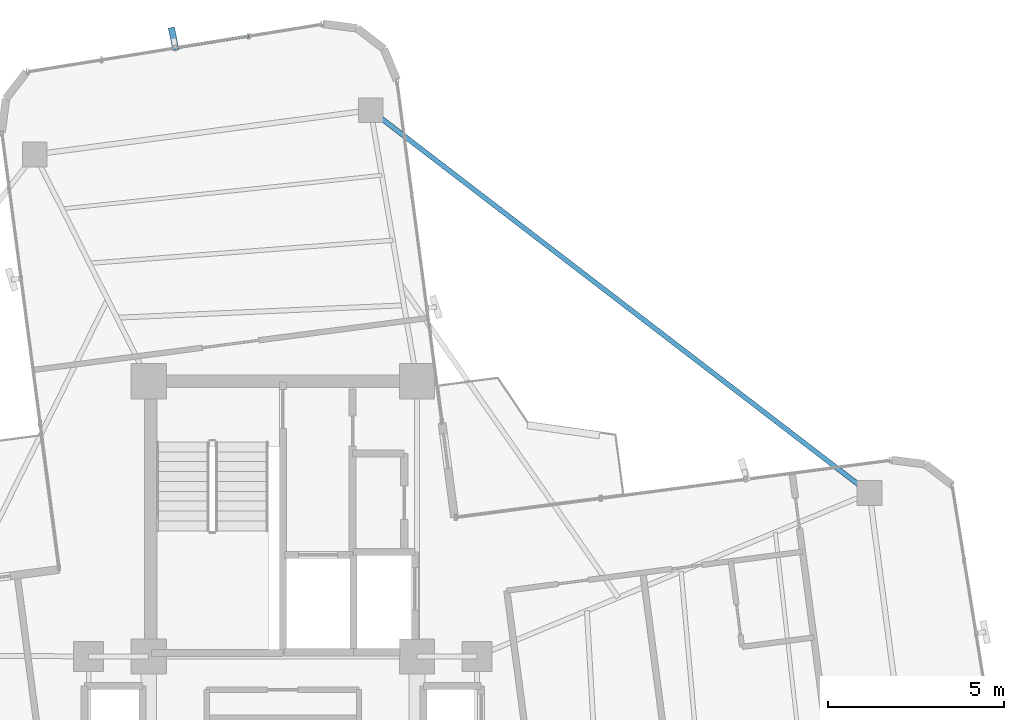
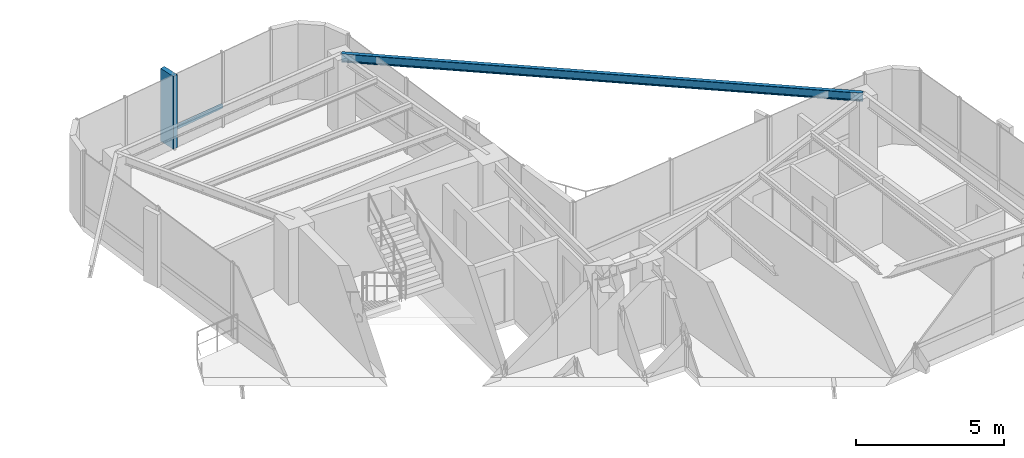
# One storey, part 14 of 21: 2 members, 1 beam, 1 element without a shape of its own.
"""IFC4 building model written with IfcOpenShell, lengths in metres."""

from ifc_helpers import new_model, si_unit, direction, frame, origin, origin_2d, place, context, subcontext, project, spatial, rectangle, hollow_rectangle, i_section, extrude, source, transform, mapped, material, material_profile, profile_set, type_object, element, aggregate, save


model = new_model("IFC4")

# Units and contexts
model_context = context("Model", 3, precision=1e-05, world=origin(), true_north=direction((0.0, 1.0)))
body_context = subcontext(model_context, "Body", "Model", "MODEL_VIEW")
ifc_project = project(units=[si_unit("LENGTHUNIT", "METRE"), si_unit("AREAUNIT", "SQUARE_METRE"), si_unit("VOLUMEUNIT", "CUBIC_METRE"), si_unit("PLANEANGLEUNIT", "RADIAN"), si_unit("MASSUNIT", "GRAM", prefix="KILO")], contexts=[model_context])

# Site, building, storey
site_placement = place(None, origin())
site = spatial("IfcSite", under=ifc_project, at=site_placement, CompositionType="ELEMENT")
building_placement = place(site_placement, origin())
building = spatial("IfcBuilding", under=site, at=building_placement, Name="Sahyath Konkavel Grand Hotel", CompositionType="ELEMENT")
storey_placement = place(building_placement, frame((0.0, 0.0, 216.550048828125)))
storey = spatial("IfcBuildingStorey", under=building, at=storey_placement, Name="L60", CompositionType="ELEMENT", Elevation=216.550048828125)

# Beam
ifc_material_1 = material(Name="Steel E350", Category="steel")
ifc_material_profile_1 = material_profile(ifc_material_1, i_section(OverallWidth=0.139892578125, OverallDepth=0.35009765625, WebThickness=0.008056640625, FlangeThickness=0.01416015625, FilletRadius=0.013916015625, at=origin_2d()), Name="ISMB 350")
ifc_profile_set_1 = profile_set([ifc_material_profile_1], Name="Steel E350")
beam_type = type_object("IfcBeamType", Name="BM-ISMB350", PredefinedType="BEAM", material=ifc_profile_set_1)
shared_shape_1 = source(origin(), body_context, "Body", "SweptSolid", [
    extrude(i_section(OverallWidth=0.139892578125, OverallDepth=0.35009765625, WebThickness=0.008056640625, FlangeThickness=0.01416015625, FilletRadius=0.013916015625, at=origin_2d()), origin(), (0.0, 0.0, 1.0), 17.819091796875),
])
beam_placement = place(storey_placement, frame((16.62451171875, 7.030029296875, 2.93505859375), z_axis=(-0.793348720932, 0.608767449027, 0.0), x_axis=(-0.608767449027, -0.793348720932, 0.0)))
element("IfcBeam", 1, at=beam_placement, inside=storey, type_object=beam_type, Name="L60 Re-Entrant Tie Beam NE", PredefinedType="BEAM", context=body_context, shape_type="MappedRepresentation", body=[
    mapped(shared_shape_1, transform((0.0, 0.0, 0.0), scale=1.0)),
])

# Curtain wall, members
ifc_material_2 = material(Name="Anodised Bronze Aluminium & Low-E Glazing", Category="aluminium")
curtain_wall_type = type_object("IfcCurtainWallType", Name="CW-ZONE4", PredefinedType="NOTDEFINED", material=ifc_material_2)
curtain_wall_placement = place(storey_placement, origin())
curtain_wall = element("IfcCurtainWall", 2, at=curtain_wall_placement, inside=storey, type_object=curtain_wall_type, Name="L60 Unitised Curtain Wall F12", PredefinedType="NOTDEFINED")
ifc_material_3 = material(Name="Warm Buff Sandstone Cladding on Concrete C50/60", Category="masonry")
ifc_material_profile_2 = material_profile(ifc_material_3, rectangle(XDim=0.179931640625, YDim=0.64990234375, at=origin_2d()), Name="FIN 180x650")
ifc_profile_set_2 = profile_set([ifc_material_profile_2], Name="Warm Buff Sandstone Cladding on Concrete C50/60")
member_type_1 = type_object("IfcMemberType", Name="FIN-SANDSTONE-650", PredefinedType="MULLION", material=ifc_profile_set_2)
shared_shape_2 = source(origin(), body_context, "Body", "SweptSolid", [
    extrude(rectangle(XDim=0.179931640625, YDim=0.64990234375, at=origin_2d()), origin(), (0.0, 0.0, 1.0), 3.010009765625),
])
member_1_placement = place(storey_placement, frame((-3.09423828125, 19.90234375, 0.050048828125), z_axis=(0.0, 0.0, 1.0), x_axis=(0.979258188767, 0.202616385647, 0.0)))
member_1 = element("IfcMember", 3, at=member_1_placement, type_object=member_type_1, Name="L60 Sandstone Vertical Solar Fin FIN F12-2", PredefinedType="MULLION", context=body_context, shape_type="MappedRepresentation", body=[
    mapped(shared_shape_2, transform((0.0, 0.0, 0.0), scale=1.0)),
])
ifc_material_4 = material(Name="Anodised Bronze Aluminium", Category="aluminium")
ifc_material_profile_3 = material_profile(ifc_material_4, hollow_rectangle(XDim=0.080078125, YDim=0.159912109375, WallThickness=0.006103515625, at=origin_2d()), Name="RHS 160x80x6")
ifc_profile_set_3 = profile_set([ifc_material_profile_3], Name="Anodised Bronze Aluminium")
member_type_2 = type_object("IfcMemberType", Name="CW-TRN-160", PredefinedType="USERDEFINED", material=ifc_profile_set_3)
shared_shape_3 = source(origin(), body_context, "Body", "SweptSolid", [
    extrude(hollow_rectangle(XDim=0.080078125, YDim=0.159912109375, WallThickness=0.006103515625, at=origin_2d()), origin(), (0.0, 0.0, 1.0), 2.112060546875),
])
member_2_placement = place(storey_placement, frame((-0.9677734375, 19.982177734375, 0.849853515625), z_axis=(-0.98721238085, -0.159410523793, 0.0), x_axis=(0.159410523793, -0.98721238085, 0.0)))
member_2 = element("IfcMember", 4, at=member_2_placement, type_object=member_type_2, Name="L60 Curtain Wall Transom F12-1-spandrel", ObjectType="TRANSOM", PredefinedType="USERDEFINED", context=body_context, shape_type="MappedRepresentation", body=[
    mapped(shared_shape_3, transform((0.0, 0.0, 0.0), scale=1.0)),
])
aggregate(curtain_wall, [member_1, member_2])

save(model, "model.ifc")
